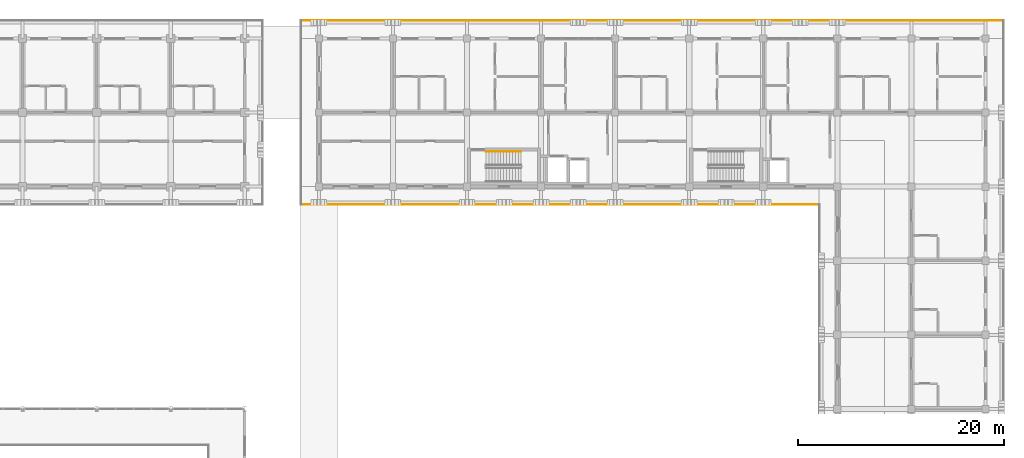
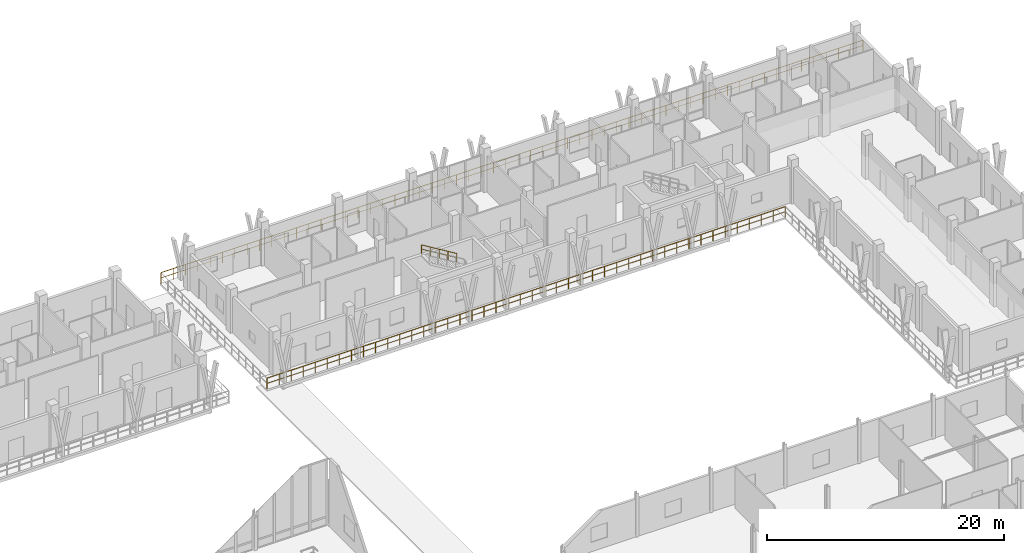
# One storey, part 109 of 110: 3 railings.
"""IFC4 building model written with IfcOpenShell, lengths in metres."""

from ifc_helpers import new_model, si_unit, direction, frame, origin, origin_2d, place, context, subcontext, project, spatial, rectangle, extrude, material, type_object, element, save


model = new_model("IFC4")

# Units and contexts
model_context = context("Model", 3, precision=1e-05, world=origin(), true_north=direction((0.0, 1.0)))
body_context = subcontext(model_context, "Body", "Model", "MODEL_VIEW")
ifc_project = project(units=[si_unit("LENGTHUNIT", "METRE"), si_unit("AREAUNIT", "SQUARE_METRE"), si_unit("VOLUMEUNIT", "CUBIC_METRE"), si_unit("PLANEANGLEUNIT", "RADIAN"), si_unit("MASSUNIT", "GRAM", prefix="KILO")], contexts=[model_context])

# Site, building, storey
site_placement = place(None, origin())
site = spatial("IfcSite", under=ifc_project, at=site_placement, CompositionType="ELEMENT")
building_placement = place(site_placement, origin())
building = spatial("IfcBuilding", under=site, at=building_placement, Name="Suanplinth Sawtooth Commons", CompositionType="ELEMENT")
storey_placement = place(building_placement, frame((0.0, 0.0, 4.5)))
storey = spatial("IfcBuildingStorey", under=building, at=storey_placement, Name="L01", CompositionType="ELEMENT", Elevation=4.5)

# Railings
ifc_material_1 = material(Name="Powder-coated galvanized steel", Category="steel")
railing_type_1 = type_object("IfcRailingType", Name="GR-01", PredefinedType="BALUSTRADE", material=ifc_material_1)
railing_1_placement = place(storey_placement, frame((171.06005859375, 106.260009765625, 0.0)))
element("IfcRailing", 1, at=railing_1_placement, inside=storey, type_object=railing_type_1, Name="L01 Block B Perimeter Balustrade 2", PredefinedType="BALUSTRADE", context=body_context, shape_type="SweptSolid", body=[
    extrude(rectangle(XDim=0.048095703125, YDim=0.048095703125, at=origin_2d()), frame((0.0, 0.0, 1.09619140625), z_axis=(-1.0, 0.0, 0.0), x_axis=(0.0, -1.0, 0.0)), (0.0, 0.0, 1.0), 50.400146484375),
    extrude(rectangle(XDim=0.03369140625, YDim=0.03369140625, at=origin_2d()), frame((0.0, 0.0, 0.56005859375), z_axis=(-1.0, 0.0, 0.0), x_axis=(0.0, -1.0, 0.0)), (0.0, 0.0, 1.0), 50.400146484375),
    extrude(rectangle(XDim=0.0419921875, YDim=0.0419921875, at=origin_2d()), origin(), (0.0, 0.0, 1.0), 1.072021484375),
    extrude(rectangle(XDim=0.0419921875, YDim=0.0419921875, at=origin_2d()), frame((-1.172119140625, 0.0, 0.0)), (0.0, 0.0, 1.0), 1.072021484375),
    extrude(rectangle(XDim=0.0419921875, YDim=0.0419921875, at=origin_2d()), frame((-2.34423828125, 0.0, 0.0)), (0.0, 0.0, 1.0), 1.072021484375),
    extrude(rectangle(XDim=0.0419921875, YDim=0.0419921875, at=origin_2d()), frame((-3.516357421875, 0.0, 0.0)), (0.0, 0.0, 1.0), 1.072021484375),
    extrude(rectangle(XDim=0.0419921875, YDim=0.0419921875, at=origin_2d()), frame((-4.6884765625, 0.0, 0.0)), (0.0, 0.0, 1.0), 1.072021484375),
    extrude(rectangle(XDim=0.0419921875, YDim=0.0419921875, at=origin_2d()), frame((-5.860595703125, 0.0, 0.0)), (0.0, 0.0, 1.0), 1.072021484375),
    extrude(rectangle(XDim=0.0419921875, YDim=0.0419921875, at=origin_2d()), frame((-7.032470703125, 0.0, 0.0)), (0.0, 0.0, 1.0), 1.072021484375),
    extrude(rectangle(XDim=0.0419921875, YDim=0.0419921875, at=origin_2d()), frame((-8.20458984375, 0.0, 0.0)), (0.0, 0.0, 1.0), 1.072021484375),
    extrude(rectangle(XDim=0.0419921875, YDim=0.0419921875, at=origin_2d()), frame((-9.376708984375, 0.0, 0.0)), (0.0, 0.0, 1.0), 1.072021484375),
    extrude(rectangle(XDim=0.0419921875, YDim=0.0419921875, at=origin_2d()), frame((-10.548828125, 0.0, 0.0)), (0.0, 0.0, 1.0), 1.072021484375),
    extrude(rectangle(XDim=0.0419921875, YDim=0.0419921875, at=origin_2d()), frame((-11.720947265625, 0.0, 0.0)), (0.0, 0.0, 1.0), 1.072021484375),
    extrude(rectangle(XDim=0.0419921875, YDim=0.0419921875, at=origin_2d()), frame((-12.89306640625, 0.0, 0.0)), (0.0, 0.0, 1.0), 1.072021484375),
    extrude(rectangle(XDim=0.0419921875, YDim=0.0419921875, at=origin_2d()), frame((-14.065185546875, 0.0, 0.0)), (0.0, 0.0, 1.0), 1.072021484375),
    extrude(rectangle(XDim=0.0419921875, YDim=0.0419921875, at=origin_2d()), frame((-15.2373046875, 0.0, 0.0)), (0.0, 0.0, 1.0), 1.072021484375),
    extrude(rectangle(XDim=0.0419921875, YDim=0.0419921875, at=origin_2d()), frame((-16.409423828125, 0.0, 0.0)), (0.0, 0.0, 1.0), 1.072021484375),
    extrude(rectangle(XDim=0.0419921875, YDim=0.0419921875, at=origin_2d()), frame((-17.58154296875, 0.0, 0.0)), (0.0, 0.0, 1.0), 1.072021484375),
    extrude(rectangle(XDim=0.0419921875, YDim=0.0419921875, at=origin_2d()), frame((-18.753662109375, 0.0, 0.0)), (0.0, 0.0, 1.0), 1.072021484375),
    extrude(rectangle(XDim=0.0419921875, YDim=0.0419921875, at=origin_2d()), frame((-19.925537109375, 0.0, 0.0)), (0.0, 0.0, 1.0), 1.072021484375),
    extrude(rectangle(XDim=0.0419921875, YDim=0.0419921875, at=origin_2d()), frame((-21.09765625, 0.0, 0.0)), (0.0, 0.0, 1.0), 1.072021484375),
    extrude(rectangle(XDim=0.0419921875, YDim=0.0419921875, at=origin_2d()), frame((-22.269775390625, 0.0, 0.0)), (0.0, 0.0, 1.0), 1.072021484375),
    extrude(rectangle(XDim=0.0419921875, YDim=0.0419921875, at=origin_2d()), frame((-23.44189453125, 0.0, 0.0)), (0.0, 0.0, 1.0), 1.072021484375),
    extrude(rectangle(XDim=0.0419921875, YDim=0.0419921875, at=origin_2d()), frame((-24.614013671875, 0.0, 0.0)), (0.0, 0.0, 1.0), 1.072021484375),
    extrude(rectangle(XDim=0.0419921875, YDim=0.0419921875, at=origin_2d()), frame((-25.7861328125, 0.0, 0.0)), (0.0, 0.0, 1.0), 1.072021484375),
    extrude(rectangle(XDim=0.0419921875, YDim=0.0419921875, at=origin_2d()), frame((-26.958251953125, 0.0, 0.0)), (0.0, 0.0, 1.0), 1.072021484375),
    extrude(rectangle(XDim=0.0419921875, YDim=0.0419921875, at=origin_2d()), frame((-28.13037109375, 0.0, 0.0)), (0.0, 0.0, 1.0), 1.072021484375),
    extrude(rectangle(XDim=0.0419921875, YDim=0.0419921875, at=origin_2d()), frame((-29.302490234375, 0.0, 0.0)), (0.0, 0.0, 1.0), 1.072021484375),
    extrude(rectangle(XDim=0.0419921875, YDim=0.0419921875, at=origin_2d()), frame((-30.474609375, 0.0, 0.0)), (0.0, 0.0, 1.0), 1.072021484375),
    extrude(rectangle(XDim=0.0419921875, YDim=0.0419921875, at=origin_2d()), frame((-31.646484375, 0.0, 0.0)), (0.0, 0.0, 1.0), 1.072021484375),
    extrude(rectangle(XDim=0.0419921875, YDim=0.0419921875, at=origin_2d()), frame((-32.818603515625, 0.0, 0.0)), (0.0, 0.0, 1.0), 1.072021484375),
    extrude(rectangle(XDim=0.0419921875, YDim=0.0419921875, at=origin_2d()), frame((-33.99072265625, 0.0, 0.0)), (0.0, 0.0, 1.0), 1.072021484375),
    extrude(rectangle(XDim=0.0419921875, YDim=0.0419921875, at=origin_2d()), frame((-35.162841796875, 0.0, 0.0)), (0.0, 0.0, 1.0), 1.072021484375),
    extrude(rectangle(XDim=0.0419921875, YDim=0.0419921875, at=origin_2d()), frame((-36.3349609375, 0.0, 0.0)), (0.0, 0.0, 1.0), 1.072021484375),
    extrude(rectangle(XDim=0.0419921875, YDim=0.0419921875, at=origin_2d()), frame((-37.507080078125, 0.0, 0.0)), (0.0, 0.0, 1.0), 1.072021484375),
    extrude(rectangle(XDim=0.0419921875, YDim=0.0419921875, at=origin_2d()), frame((-38.67919921875, 0.0, 0.0)), (0.0, 0.0, 1.0), 1.072021484375),
    extrude(rectangle(XDim=0.0419921875, YDim=0.0419921875, at=origin_2d()), frame((-39.851318359375, 0.0, 0.0)), (0.0, 0.0, 1.0), 1.072021484375),
    extrude(rectangle(XDim=0.0419921875, YDim=0.0419921875, at=origin_2d()), frame((-41.0234375, 0.0, 0.0)), (0.0, 0.0, 1.0), 1.072021484375),
    extrude(rectangle(XDim=0.0419921875, YDim=0.0419921875, at=origin_2d()), frame((-42.195556640625, 0.0, 0.0)), (0.0, 0.0, 1.0), 1.072021484375),
    extrude(rectangle(XDim=0.0419921875, YDim=0.0419921875, at=origin_2d()), frame((-43.36767578125, 0.0, 0.0)), (0.0, 0.0, 1.0), 1.072021484375),
    extrude(rectangle(XDim=0.0419921875, YDim=0.0419921875, at=origin_2d()), frame((-44.53955078125, 0.0, 0.0)), (0.0, 0.0, 1.0), 1.072021484375),
    extrude(rectangle(XDim=0.0419921875, YDim=0.0419921875, at=origin_2d()), frame((-45.711669921875, 0.0, 0.0)), (0.0, 0.0, 1.0), 1.072021484375),
    extrude(rectangle(XDim=0.0419921875, YDim=0.0419921875, at=origin_2d()), frame((-46.8837890625, 0.0, 0.0)), (0.0, 0.0, 1.0), 1.072021484375),
    extrude(rectangle(XDim=0.0419921875, YDim=0.0419921875, at=origin_2d()), frame((-48.055908203125, 0.0, 0.0)), (0.0, 0.0, 1.0), 1.072021484375),
    extrude(rectangle(XDim=0.0419921875, YDim=0.0419921875, at=origin_2d()), frame((-49.22802734375, 0.0, 0.0)), (0.0, 0.0, 1.0), 1.072021484375),
    extrude(rectangle(XDim=0.0419921875, YDim=0.0419921875, at=origin_2d()), frame((-50.400146484375, 0.0, 0.0)), (0.0, 0.0, 1.0), 1.072021484375),
])
railing_2_placement = place(storey_placement, frame((120.659912109375, 124.139892578125, 0.0)))
element("IfcRailing", 2, at=railing_2_placement, inside=storey, type_object=railing_type_1, Name="L01 Block B Perimeter Balustrade 4", PredefinedType="BALUSTRADE", context=body_context, shape_type="SweptSolid", body=[
    extrude(rectangle(XDim=0.048095703125, YDim=0.048095703125, at=origin_2d()), frame((0.0, 0.0, 1.09619140625), z_axis=(1.0, 0.0, 0.0), x_axis=(0.0, 1.0, 0.0)), (0.0, 0.0, 1.0), 68.280029296875),
    extrude(rectangle(XDim=0.03369140625, YDim=0.03369140625, at=origin_2d()), frame((0.0, 0.0, 0.56005859375), z_axis=(1.0, 0.0, 0.0), x_axis=(0.0, 1.0, 0.0)), (0.0, 0.0, 1.0), 68.280029296875),
    extrude(rectangle(XDim=0.0419921875, YDim=0.0419921875, at=origin_2d()), origin(), (0.0, 0.0, 1.0), 1.072021484375),
    extrude(rectangle(XDim=0.0419921875, YDim=0.0419921875, at=origin_2d()), frame((1.197998046875, 0.0, 0.0)), (0.0, 0.0, 1.0), 1.072021484375),
    extrude(rectangle(XDim=0.0419921875, YDim=0.0419921875, at=origin_2d()), frame((2.395751953125, 0.0, 0.0)), (0.0, 0.0, 1.0), 1.072021484375),
    extrude(rectangle(XDim=0.0419921875, YDim=0.0419921875, at=origin_2d()), frame((3.59375, 0.0, 0.0)), (0.0, 0.0, 1.0), 1.072021484375),
    extrude(rectangle(XDim=0.0419921875, YDim=0.0419921875, at=origin_2d()), frame((4.79150390625, 0.0, 0.0)), (0.0, 0.0, 1.0), 1.072021484375),
    extrude(rectangle(XDim=0.0419921875, YDim=0.0419921875, at=origin_2d()), frame((5.989501953125, 0.0, 0.0)), (0.0, 0.0, 1.0), 1.072021484375),
    extrude(rectangle(XDim=0.0419921875, YDim=0.0419921875, at=origin_2d()), frame((7.187255859375, 0.0, 0.0)), (0.0, 0.0, 1.0), 1.072021484375),
    extrude(rectangle(XDim=0.0419921875, YDim=0.0419921875, at=origin_2d()), frame((8.38525390625, 0.0, 0.0)), (0.0, 0.0, 1.0), 1.072021484375),
    extrude(rectangle(XDim=0.0419921875, YDim=0.0419921875, at=origin_2d()), frame((9.583251953125, 0.0, 0.0)), (0.0, 0.0, 1.0), 1.072021484375),
    extrude(rectangle(XDim=0.0419921875, YDim=0.0419921875, at=origin_2d()), frame((10.781005859375, 0.0, 0.0)), (0.0, 0.0, 1.0), 1.072021484375),
    extrude(rectangle(XDim=0.0419921875, YDim=0.0419921875, at=origin_2d()), frame((11.97900390625, 0.0, 0.0)), (0.0, 0.0, 1.0), 1.072021484375),
    extrude(rectangle(XDim=0.0419921875, YDim=0.0419921875, at=origin_2d()), frame((13.1767578125, 0.0, 0.0)), (0.0, 0.0, 1.0), 1.072021484375),
    extrude(rectangle(XDim=0.0419921875, YDim=0.0419921875, at=origin_2d()), frame((14.374755859375, 0.0, 0.0)), (0.0, 0.0, 1.0), 1.072021484375),
    extrude(rectangle(XDim=0.0419921875, YDim=0.0419921875, at=origin_2d()), frame((15.57275390625, 0.0, 0.0)), (0.0, 0.0, 1.0), 1.072021484375),
    extrude(rectangle(XDim=0.0419921875, YDim=0.0419921875, at=origin_2d()), frame((16.7705078125, 0.0, 0.0)), (0.0, 0.0, 1.0), 1.072021484375),
    extrude(rectangle(XDim=0.0419921875, YDim=0.0419921875, at=origin_2d()), frame((17.968505859375, 0.0, 0.0)), (0.0, 0.0, 1.0), 1.072021484375),
    extrude(rectangle(XDim=0.0419921875, YDim=0.0419921875, at=origin_2d()), frame((19.166259765625, 0.0, 0.0)), (0.0, 0.0, 1.0), 1.072021484375),
    extrude(rectangle(XDim=0.0419921875, YDim=0.0419921875, at=origin_2d()), frame((20.3642578125, 0.0, 0.0)), (0.0, 0.0, 1.0), 1.072021484375),
    extrude(rectangle(XDim=0.0419921875, YDim=0.0419921875, at=origin_2d()), frame((21.56201171875, 0.0, 0.0)), (0.0, 0.0, 1.0), 1.072021484375),
    extrude(rectangle(XDim=0.0419921875, YDim=0.0419921875, at=origin_2d()), frame((22.760009765625, 0.0, 0.0)), (0.0, 0.0, 1.0), 1.072021484375),
    extrude(rectangle(XDim=0.0419921875, YDim=0.0419921875, at=origin_2d()), frame((23.9580078125, 0.0, 0.0)), (0.0, 0.0, 1.0), 1.072021484375),
    extrude(rectangle(XDim=0.0419921875, YDim=0.0419921875, at=origin_2d()), frame((25.15576171875, 0.0, 0.0)), (0.0, 0.0, 1.0), 1.072021484375),
    extrude(rectangle(XDim=0.0419921875, YDim=0.0419921875, at=origin_2d()), frame((26.353759765625, 0.0, 0.0)), (0.0, 0.0, 1.0), 1.072021484375),
    extrude(rectangle(XDim=0.0419921875, YDim=0.0419921875, at=origin_2d()), frame((27.551513671875, 0.0, 0.0)), (0.0, 0.0, 1.0), 1.072021484375),
    extrude(rectangle(XDim=0.0419921875, YDim=0.0419921875, at=origin_2d()), frame((28.74951171875, 0.0, 0.0)), (0.0, 0.0, 1.0), 1.072021484375),
    extrude(rectangle(XDim=0.0419921875, YDim=0.0419921875, at=origin_2d()), frame((29.947265625, 0.0, 0.0)), (0.0, 0.0, 1.0), 1.072021484375),
    extrude(rectangle(XDim=0.0419921875, YDim=0.0419921875, at=origin_2d()), frame((31.145263671875, 0.0, 0.0)), (0.0, 0.0, 1.0), 1.072021484375),
    extrude(rectangle(XDim=0.0419921875, YDim=0.0419921875, at=origin_2d()), frame((32.34326171875, 0.0, 0.0)), (0.0, 0.0, 1.0), 1.072021484375),
    extrude(rectangle(XDim=0.0419921875, YDim=0.0419921875, at=origin_2d()), frame((33.541015625, 0.0, 0.0)), (0.0, 0.0, 1.0), 1.072021484375),
    extrude(rectangle(XDim=0.0419921875, YDim=0.0419921875, at=origin_2d()), frame((34.739013671875, 0.0, 0.0)), (0.0, 0.0, 1.0), 1.072021484375),
    extrude(rectangle(XDim=0.0419921875, YDim=0.0419921875, at=origin_2d()), frame((35.936767578125, 0.0, 0.0)), (0.0, 0.0, 1.0), 1.072021484375),
    extrude(rectangle(XDim=0.0419921875, YDim=0.0419921875, at=origin_2d()), frame((37.134765625, 0.0, 0.0)), (0.0, 0.0, 1.0), 1.072021484375),
    extrude(rectangle(XDim=0.0419921875, YDim=0.0419921875, at=origin_2d()), frame((38.332763671875, 0.0, 0.0)), (0.0, 0.0, 1.0), 1.072021484375),
    extrude(rectangle(XDim=0.0419921875, YDim=0.0419921875, at=origin_2d()), frame((39.530517578125, 0.0, 0.0)), (0.0, 0.0, 1.0), 1.072021484375),
    extrude(rectangle(XDim=0.0419921875, YDim=0.0419921875, at=origin_2d()), frame((40.728515625, 0.0, 0.0)), (0.0, 0.0, 1.0), 1.072021484375),
    extrude(rectangle(XDim=0.0419921875, YDim=0.0419921875, at=origin_2d()), frame((41.92626953125, 0.0, 0.0)), (0.0, 0.0, 1.0), 1.072021484375),
    extrude(rectangle(XDim=0.0419921875, YDim=0.0419921875, at=origin_2d()), frame((43.124267578125, 0.0, 0.0)), (0.0, 0.0, 1.0), 1.072021484375),
    extrude(rectangle(XDim=0.0419921875, YDim=0.0419921875, at=origin_2d()), frame((44.322021484375, 0.0, 0.0)), (0.0, 0.0, 1.0), 1.072021484375),
    extrude(rectangle(XDim=0.0419921875, YDim=0.0419921875, at=origin_2d()), frame((45.52001953125, 0.0, 0.0)), (0.0, 0.0, 1.0), 1.072021484375),
    extrude(rectangle(XDim=0.0419921875, YDim=0.0419921875, at=origin_2d()), frame((46.718017578125, 0.0, 0.0)), (0.0, 0.0, 1.0), 1.072021484375),
    extrude(rectangle(XDim=0.0419921875, YDim=0.0419921875, at=origin_2d()), frame((47.915771484375, 0.0, 0.0)), (0.0, 0.0, 1.0), 1.072021484375),
    extrude(rectangle(XDim=0.0419921875, YDim=0.0419921875, at=origin_2d()), frame((49.11376953125, 0.0, 0.0)), (0.0, 0.0, 1.0), 1.072021484375),
    extrude(rectangle(XDim=0.0419921875, YDim=0.0419921875, at=origin_2d()), frame((50.3115234375, 0.0, 0.0)), (0.0, 0.0, 1.0), 1.072021484375),
    extrude(rectangle(XDim=0.0419921875, YDim=0.0419921875, at=origin_2d()), frame((51.509521484375, 0.0, 0.0)), (0.0, 0.0, 1.0), 1.072021484375),
    extrude(rectangle(XDim=0.0419921875, YDim=0.0419921875, at=origin_2d()), frame((52.707275390625, 0.0, 0.0)), (0.0, 0.0, 1.0), 1.072021484375),
    extrude(rectangle(XDim=0.0419921875, YDim=0.0419921875, at=origin_2d()), frame((53.9052734375, 0.0, 0.0)), (0.0, 0.0, 1.0), 1.072021484375),
    extrude(rectangle(XDim=0.0419921875, YDim=0.0419921875, at=origin_2d()), frame((55.103271484375, 0.0, 0.0)), (0.0, 0.0, 1.0), 1.072021484375),
    extrude(rectangle(XDim=0.0419921875, YDim=0.0419921875, at=origin_2d()), frame((56.301025390625, 0.0, 0.0)), (0.0, 0.0, 1.0), 1.072021484375),
    extrude(rectangle(XDim=0.0419921875, YDim=0.0419921875, at=origin_2d()), frame((57.4990234375, 0.0, 0.0)), (0.0, 0.0, 1.0), 1.072021484375),
    extrude(rectangle(XDim=0.0419921875, YDim=0.0419921875, at=origin_2d()), frame((58.69677734375, 0.0, 0.0)), (0.0, 0.0, 1.0), 1.072021484375),
    extrude(rectangle(XDim=0.0419921875, YDim=0.0419921875, at=origin_2d()), frame((59.894775390625, 0.0, 0.0)), (0.0, 0.0, 1.0), 1.072021484375),
    extrude(rectangle(XDim=0.0419921875, YDim=0.0419921875, at=origin_2d()), frame((61.0927734375, 0.0, 0.0)), (0.0, 0.0, 1.0), 1.072021484375),
    extrude(rectangle(XDim=0.0419921875, YDim=0.0419921875, at=origin_2d()), frame((62.29052734375, 0.0, 0.0)), (0.0, 0.0, 1.0), 1.072021484375),
    extrude(rectangle(XDim=0.0419921875, YDim=0.0419921875, at=origin_2d()), frame((63.488525390625, 0.0, 0.0)), (0.0, 0.0, 1.0), 1.072021484375),
    extrude(rectangle(XDim=0.0419921875, YDim=0.0419921875, at=origin_2d()), frame((64.686279296875, 0.0, 0.0)), (0.0, 0.0, 1.0), 1.072021484375),
    extrude(rectangle(XDim=0.0419921875, YDim=0.0419921875, at=origin_2d()), frame((65.88427734375, 0.0, 0.0)), (0.0, 0.0, 1.0), 1.072021484375),
    extrude(rectangle(XDim=0.0419921875, YDim=0.0419921875, at=origin_2d()), frame((67.08203125, 0.0, 0.0)), (0.0, 0.0, 1.0), 1.072021484375),
    extrude(rectangle(XDim=0.0419921875, YDim=0.0419921875, at=origin_2d()), frame((68.280029296875, 0.0, 0.0)), (0.0, 0.0, 1.0), 1.072021484375),
])
ifc_material_2 = material(Name="Stainless steel Grade 304", Category="steel")
railing_type_2 = type_object("IfcRailingType", Name="HR-01", PredefinedType="HANDRAIL", material=ifc_material_2)
railing_3_placement = place(storey_placement, frame((142.070068359375, 111.39990234375, 2.423095703125)))
element("IfcRailing", 3, at=railing_3_placement, inside=storey, type_object=railing_type_2, Name="L01 ST-E1 Handrail 2", PredefinedType="HANDRAIL", context=body_context, shape_type="SweptSolid", body=[
    extrude(rectangle(XDim=0.048095703125, YDim=0.048095703125, at=origin_2d()), frame((0.0, 0.0, 0.8759765625), z_axis=(-0.854745945586, 0.0, 0.519046595696), x_axis=(0.0, -1.0, 0.0)), (0.0, 0.0, 1.0), 4.00146484375),
    extrude(rectangle(XDim=0.03369140625, YDim=0.03369140625, at=origin_2d()), frame((0.0, 0.0, 0.449951171875), z_axis=(-0.854745945586, 0.0, 0.519046595696), x_axis=(0.0, -1.0, 0.0)), (0.0, 0.0, 1.0), 4.00146484375),
    extrude(rectangle(XDim=0.0419921875, YDim=0.0419921875, at=origin_2d()), origin(), (0.0, 0.0, 1.0), 0.851806640625),
    extrude(rectangle(XDim=0.0419921875, YDim=0.0419921875, at=origin_2d()), frame((-0.85498046875, 0.0, 0.519287109375)), (0.0, 0.0, 1.0), 0.851806640625),
    extrude(rectangle(XDim=0.0419921875, YDim=0.0419921875, at=origin_2d()), frame((-1.7099609375, 0.0, 1.03857421875)), (0.0, 0.0, 1.0), 0.851806640625),
    extrude(rectangle(XDim=0.0419921875, YDim=0.0419921875, at=origin_2d()), frame((-2.565185546875, 0.0, 1.5576171875)), (0.0, 0.0, 1.0), 0.851806640625),
    extrude(rectangle(XDim=0.0419921875, YDim=0.0419921875, at=origin_2d()), frame((-3.420166015625, 0.0, 2.076904296875)), (0.0, 0.0, 1.0), 0.851806640625),
])

save(model, "model.ifc")
